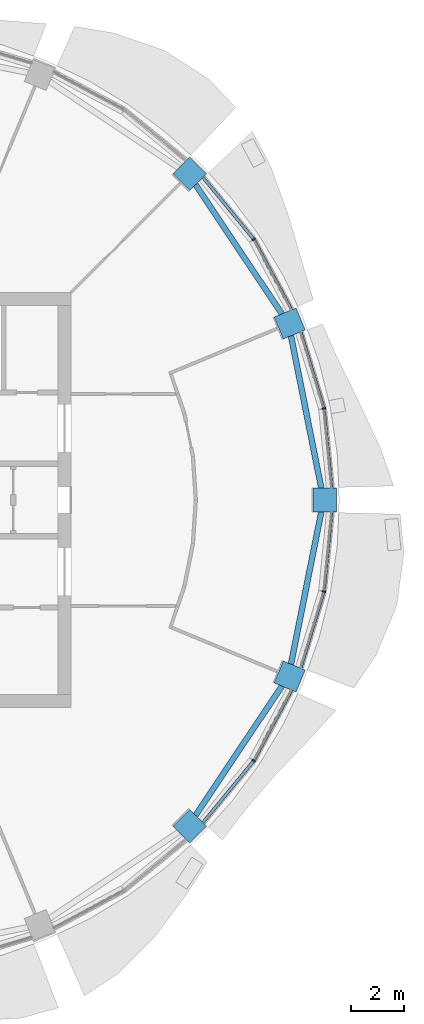
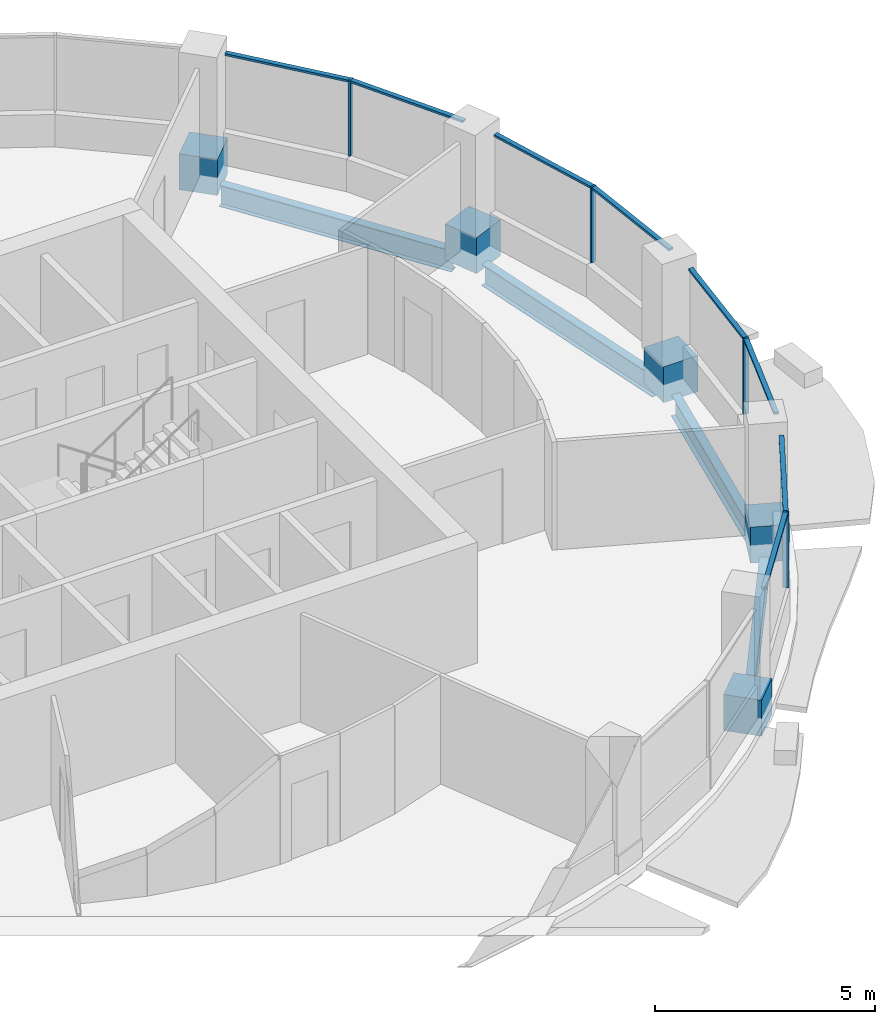
# One storey, part 5 of 15: 17 members, 4 beams, 4 elements without a shape of their own.
"""IFC4 building model written with IfcOpenShell, lengths in metres."""

import ifcopenshell
import ifcopenshell.guid

model = None  # the IFC model being written
_history = None  # IfcOwnerHistory: only IFC2X3 demands one
_inside = {}  # id of a spatial element -> (the spatial element, [elements in it])
_under = {}  # id of a project, library or spatial element -> (it, [spatial elements below it])
_declared = {}  # id of a project -> (the project, [libraries it declares])
_typed = {}  # id of a type object -> (the type object, [elements of that type])
_made_of = {}  # id of a material, layer set ... -> (it, [elements and type objects made of it])


def new_model(schema):
    """Start an empty IFC model of exactly this schema.

    Asked for "IFC4X3", IfcOpenShell would pick the latest addendum, in which some entities
    have other attributes; the version numbers below select the first issue.
    IFC2X3 requires an IfcOwnerHistory on every rooted entity: one is made here for all.
    """
    global model, _history
    if schema == "IFC4X3":
        model = ifcopenshell.file(schema_version=(4, 3, 0, 0))
    else:
        model = ifcopenshell.file(schema=schema)
    _inside.clear()
    _under.clear()
    _declared.clear()
    _typed.clear()
    _made_of.clear()
    _history = None
    if model.schema == "IFC2X3":
        org = make("IfcOrganization", Name="unknown")
        user = make(
            "IfcPersonAndOrganization",
            ThePerson=make("IfcPerson", FamilyName="unknown"),
            TheOrganization=org,
        )
        app = make(
            "IfcApplication",
            ApplicationDeveloper=org,
            Version="unknown",
            ApplicationFullName="unknown",
            ApplicationIdentifier="unknown",
        )
        _history = make(
            "IfcOwnerHistory",
            OwningUser=user,
            OwningApplication=app,
            ChangeAction="ADDED",
            CreationDate=0,
        )
    return model


def make(cls, **values):
    """One entity of the class cls with the attributes given. An attribute that is None is left unset."""
    return model.create_entity(
        cls, **{name: value for name, value in values.items() if value is not None}
    )


def rooted(cls, **values):
    """An entity with a GlobalId (a new one), such as an element, a storey or a relation."""
    return make(cls, GlobalId=ifcopenshell.guid.new(), OwnerHistory=_history, **values)


def si_unit(unit_type, name, prefix=None):
    """IfcSIUnit, for example si_unit("LENGTHUNIT", "METRE", prefix="MILLI")."""
    return make("IfcSIUnit", UnitType=unit_type, Prefix=prefix, Name=name)


def assignment(units):
    """IfcUnitAssignment: the units of a project."""
    return None if units is None else make("IfcUnitAssignment", Units=units)


def point(xyz):
    """IfcCartesianPoint."""
    return None if xyz is None else make("IfcCartesianPoint", Coordinates=xyz)


def direction(xyz):
    """IfcDirection."""
    return None if xyz is None else make("IfcDirection", DirectionRatios=xyz)


def frame(location, z_axis=None, x_axis=None):
    """IfcAxis2Placement3D, a coordinate frame: its origin and axes. An axis left out is left unset."""
    return make(
        "IfcAxis2Placement3D",
        Location=point(location),
        Axis=direction(z_axis),
        RefDirection=direction(x_axis),
    )


def frame_2d(location, x_axis=None):
    """IfcAxis2Placement2D, a coordinate frame in the plane: its origin and x axis."""
    return make(
        "IfcAxis2Placement2D", Location=point(location), RefDirection=direction(x_axis)
    )


def origin():
    """The frame at (0, 0, 0) with its axes left unset."""
    return frame((0.0, 0.0, 0.0))


def origin_2d():
    """The frame at (0, 0) in the plane with its x axis left unset."""
    return frame_2d((0.0, 0.0))


def place(relative_to, where):
    """IfcLocalPlacement: puts the frame where relative to a parent placement (None: the world)."""
    return make(
        "IfcLocalPlacement", PlacementRelTo=relative_to, RelativePlacement=where
    )


def context(
    kind, dimensions, precision=None, world=None, true_north=None, identifier=None
):
    """IfcGeometricRepresentationContext, for example the 3D "Model" context."""
    return make(
        "IfcGeometricRepresentationContext",
        ContextIdentifier=identifier,
        ContextType=kind,
        CoordinateSpaceDimension=dimensions,
        Precision=precision,
        WorldCoordinateSystem=world,
        TrueNorth=true_north,
    )


def subcontext(parent, identifier, kind, view, scale=None):
    """IfcGeometricRepresentationSubContext, for example "Body" below "Model"."""
    return make(
        "IfcGeometricRepresentationSubContext",
        ContextIdentifier=identifier,
        ContextType=kind,
        ParentContext=parent,
        TargetScale=scale,
        TargetView=view,
    )


def project(units=None, contexts=None):
    """IfcProject with its units and contexts."""
    return rooted(
        "IfcProject",
        Name="project",
        RepresentationContexts=contexts,
        UnitsInContext=assignment(units),
    )


def spatial(cls, under=None, at=None, **own):
    """A site, building, storey or space (cls), placed at a placement, below another one or the project."""
    s = rooted(cls, ObjectPlacement=at, **own)
    if under is not None:
        _under.setdefault(under.id(), (under, []))[1].append(s)
    return s


def profile(cls, at=None, kind="AREA", **sizes):
    """A parametric profile (cls). Its sizes go by their IFC names, for example OverallWidth=200.0."""
    return make(cls, ProfileType=kind, Position=at, **sizes)


def rectangle(**sizes):
    """IfcRectangleProfileDef."""
    return profile("IfcRectangleProfileDef", **sizes)


def i_section(**sizes):
    """IfcIShapeProfileDef."""
    return profile("IfcIShapeProfileDef", **sizes)


def extrude(swept, where, along, depth):
    """IfcExtrudedAreaSolid: the profile swept, set in the frame where, extruded along a direction by depth."""
    return make(
        "IfcExtrudedAreaSolid",
        SweptArea=swept,
        Position=where,
        ExtrudedDirection=direction(along),
        Depth=depth,
    )


def shape(context_of_items, identifier, shape_type, items):
    """IfcShapeRepresentation: the items that make up one representation, for example the "Body"."""
    return make(
        "IfcShapeRepresentation",
        ContextOfItems=context_of_items,
        RepresentationIdentifier=identifier,
        RepresentationType=shape_type,
        Items=items,
    )


def material(Name=None, Category=None):
    """IfcMaterial."""
    return make("IfcMaterial", Name=Name, Category=Category)


def material_profile(
    of_material, cross_section, Name=None, Category=None, Priority=None
):
    """IfcMaterialProfile: a cross section and its material."""
    return make(
        "IfcMaterialProfile",
        Name=Name,
        Material=of_material,
        Profile=cross_section,
        Priority=Priority,
        Category=Category,
    )


def profile_set(profiles, Name=None, composite=None):
    """IfcMaterialProfileSet."""
    return make(
        "IfcMaterialProfileSet",
        Name=Name,
        MaterialProfiles=profiles,
        CompositeProfile=composite,
    )


def made_of(thing, what):
    """Note that an element or type object is made of a material, layer set ...; save() writes the relation."""
    if what is not None:
        _made_of.setdefault(what.id(), (what, []))[1].append(thing)
    return thing


def type_object(cls, material=None, **own):
    """A type object (cls), such as IfcWallType, which elements share."""
    return made_of(rooted(cls, **own), material)


def element(
    cls,
    number,
    at=None,
    inside=None,
    cuts=None,
    type_object=None,
    material=None,
    context=None,
    identifier="Body",
    shape_type=None,
    held_by="IfcProductDefinitionShape",
    body=None,
    shapes=None,
    **own,
):
    """One element of the class cls, such as IfcWall. Its Tag is "e" and its number.

    at: its placement. inside: the storey or other place that contains it. cuts: it is an
    opening in that element (IfcRelVoidsElement). A single representation is given by context,
    identifier, shape_type and body (its items); several are given by shapes. held_by: the class
    of the entity that holds the representations. save() writes the other relations.
    """
    e = rooted(cls, Tag="e%d" % number, ObjectPlacement=at, **own)
    if body is not None:
        shapes = [shape(context, identifier, shape_type, body)]
    if shapes is not None:
        e.Representation = make(held_by, Representations=shapes)
    if inside is not None:
        _inside.setdefault(inside.id(), (inside, []))[1].append(e)
    if cuts is not None:
        rooted(
            "IfcRelVoidsElement", RelatingBuildingElement=cuts, RelatedOpeningElement=e
        )
    if type_object is not None:
        _typed.setdefault(type_object.id(), (type_object, []))[1].append(e)
    return made_of(e, material)


def aggregate(whole, parts):
    """IfcRelAggregates: a whole, such as a stair, and the parts it consists of."""
    return rooted("IfcRelAggregates", RelatingObject=whole, RelatedObjects=parts)


def save(model, path):
    """Write the relations noted so far, then the file.

    IfcRelAggregates (storeys below a building ...), IfcRelContainedInSpatialStructure (elements
    in a storey), IfcRelDefinesByType, IfcRelAssociatesMaterial and IfcRelDeclares: one each for
    every whole, place, type object, material and project.
    """
    for whole, parts in _under.values():
        aggregate(whole, parts)
    for where, things in _inside.values():
        rooted(
            "IfcRelContainedInSpatialStructure",
            RelatedElements=things,
            RelatingStructure=where,
        )
    for kind, things in _typed.values():
        rooted("IfcRelDefinesByType", RelatedObjects=things, RelatingType=kind)
    for what, things in _made_of.values():
        rooted("IfcRelAssociatesMaterial", RelatedObjects=things, RelatingMaterial=what)
    for by, libraries in _declared.values():
        rooted("IfcRelDeclares", RelatingContext=by, RelatedDefinitions=libraries)
    model.write(path)


model = new_model("IFC4")

# Units and contexts
model_context = context("Model", 3, precision=1e-05, world=origin(), true_north=direction((0.0, 1.0)))
body_context = subcontext(model_context, "Body", "Model", "MODEL_VIEW")
ifc_project = project(units=[si_unit("LENGTHUNIT", "METRE"), si_unit("AREAUNIT", "SQUARE_METRE"), si_unit("VOLUMEUNIT", "CUBIC_METRE"), si_unit("PLANEANGLEUNIT", "RADIAN"), si_unit("MASSUNIT", "GRAM", prefix="KILO")], contexts=[model_context])

# Site, building, storey
site_placement = place(None, origin())
site = spatial("IfcSite", under=ifc_project, at=site_placement, CompositionType="ELEMENT")
building_placement = place(site_placement, origin())
building = spatial("IfcBuilding", under=site, at=building_placement, Name="Polderwave Tower", CompositionType="ELEMENT")
storey_placement = place(building_placement, frame((0.0, 0.0, 187.64990234375)))
storey = spatial("IfcBuildingStorey", under=building, at=storey_placement, Name="L50", CompositionType="ELEMENT", Elevation=187.64990234375)

# Curtain wall, member
ifc_material_1 = material(Name="Aluminium 6063-T6 and glass", Category="aluminium")
curtain_wall_type = type_object("IfcCurtainWallType", Name="Office ribbon glazing wall", PredefinedType="NOTDEFINED", material=ifc_material_1)
curtain_wall_1_placement = place(storey_placement, origin())
curtain_wall_1 = element("IfcCurtainWall", 1, at=curtain_wall_1_placement, inside=storey, type_object=curtain_wall_type, Name="CW3 L50 00", PredefinedType="NOTDEFINED")
ifc_material_2 = material(Name="Aluminium 6063-T6", Category="aluminium")
ifc_material_profile_1 = material_profile(ifc_material_2, rectangle(XDim=0.139892578125, YDim=0.054931640625, at=origin_2d()), Name="AL 55x140")
ifc_profile_set_1 = profile_set([ifc_material_profile_1], Name="Aluminium 6063-T6")
member_type_1 = type_object("IfcMemberType", Name="Office ribbon glazing mullion 55x140", PredefinedType="MULLION", material=ifc_profile_set_1)
member_1_placement = place(storey_placement, frame((17.4580078125, 3.472900390625, 0.900146484375), z_axis=(0.0, 0.0, 1.0), x_axis=(-0.980762460409, -0.195205010829, 0.0)))
member_1 = element("IfcMember", 2, at=member_1_placement, type_object=member_type_1, Name="CW3 mullion 1", PredefinedType="MULLION", context=body_context, shape_type="SweptSolid", body=[
    extrude(rectangle(XDim=0.139892578125, YDim=0.054931640625, at=origin_2d()), origin(), (0.0, 0.0, 1.0), 2.099853515625),
])

curtain_wall_2_placement = place(storey_placement, origin())
curtain_wall_2 = element("IfcCurtainWall", 3, at=curtain_wall_2_placement, inside=storey, type_object=curtain_wall_type, Name="CW3 L50 01", PredefinedType="NOTDEFINED")
member_2_placement = place(storey_placement, frame((14.800048828125, 9.888916015625, 0.900146484375), z_axis=(0.0, 0.0, 1.0), x_axis=(-0.831419186923, -0.55564569252, 0.0)))
member_2 = element("IfcMember", 4, at=member_2_placement, type_object=member_type_1, Name="CW3 mullion 1", PredefinedType="MULLION", context=body_context, shape_type="SweptSolid", body=[
    extrude(rectangle(XDim=0.139892578125, YDim=0.054931640625, at=origin_2d()), origin(), (0.0, 0.0, 1.0), 2.099853515625),
])

curtain_wall_3_placement = place(storey_placement, origin())
curtain_wall_3 = element("IfcCurtainWall", 5, at=curtain_wall_3_placement, inside=storey, type_object=curtain_wall_type, Name="CW3 L50 14", PredefinedType="NOTDEFINED")
member_3_placement = place(storey_placement, frame((14.800048828125, -9.888916015625, 0.900146484375), z_axis=(0.0, 0.0, 1.0), x_axis=(-0.831419186923, 0.55564569252, 0.0)))
member_3 = element("IfcMember", 6, at=member_3_placement, type_object=member_type_1, Name="CW3 mullion 1", PredefinedType="MULLION", context=body_context, shape_type="SweptSolid", body=[
    extrude(rectangle(XDim=0.139892578125, YDim=0.054931640625, at=origin_2d()), origin(), (0.0, 0.0, 1.0), 2.099853515625),
])

curtain_wall_4_placement = place(storey_placement, origin())
curtain_wall_4 = element("IfcCurtainWall", 7, at=curtain_wall_4_placement, inside=storey, type_object=curtain_wall_type, Name="CW3 L50 15", PredefinedType="NOTDEFINED")
member_4_placement = place(storey_placement, frame((17.4580078125, -3.472900390625, 0.900146484375), z_axis=(0.0, 0.0, 1.0), x_axis=(-0.980762460409, 0.195205010829, 0.0)))
member_4 = element("IfcMember", 8, at=member_4_placement, type_object=member_type_1, Name="CW3 mullion 1", PredefinedType="MULLION", context=body_context, shape_type="SweptSolid", body=[
    extrude(rectangle(XDim=0.139892578125, YDim=0.054931640625, at=origin_2d()), origin(), (0.0, 0.0, 1.0), 2.099853515625),
])

# Member
ifc_material_profile_2 = material_profile(ifc_material_2, rectangle(XDim=0.1201171875, YDim=0.06005859375, at=origin_2d()), Name="AL 60x120")
ifc_profile_set_2 = profile_set([ifc_material_profile_2], Name="Aluminium 6063-T6")
member_type_2 = type_object("IfcMemberType", Name="Office ribbon glazing transom 60x120", PredefinedType="USERDEFINED", material=ifc_profile_set_2)
member_5_placement = place(storey_placement, frame((17.756103515625, 0.449951171875, 2.97021484375), z_axis=(-0.098138471931, 0.995172769084, 0.0), x_axis=(-0.995172769084, -0.098138471931, 0.0)))
member_5 = element("IfcMember", 9, at=member_5_placement, type_object=member_type_2, Name="CW3 transom 1", ObjectType="TRANSOM", PredefinedType="USERDEFINED", context=body_context, shape_type="SweptSolid", body=[
    extrude(rectangle(XDim=0.1201171875, YDim=0.06005859375, at=origin_2d()), origin(), (0.0, 0.0, 1.0), 3.01025390625),
])

member_6_placement = place(storey_placement, frame((17.449951171875, 3.499267578125, 2.97021484375), z_axis=(-0.290435177237, 0.956894669137, 0.0), x_axis=(-0.956894669137, -0.290435177237, 0.0)))
member_6 = element("IfcMember", 10, at=member_6_placement, type_object=member_type_2, Name="CW3 transom 2", ObjectType="TRANSOM", PredefinedType="USERDEFINED", context=body_context, shape_type="SweptSolid", body=[
    extrude(rectangle(XDim=0.1201171875, YDim=0.06005859375, at=origin_2d()), origin(), (0.0, 0.0, 1.0), 3.00927734375),
])

aggregate(curtain_wall_1, [member_1, member_5, member_6])

member_7_placement = place(storey_placement, frame((16.23193359375, 7.2109375, 2.97021484375), z_axis=(-0.471514347904, 0.881858389834, 0.0), x_axis=(-0.881858389834, -0.471514347904, 0.0)))
member_7 = element("IfcMember", 11, at=member_7_placement, type_object=member_type_2, Name="CW3 transom 1", ObjectType="TRANSOM", PredefinedType="USERDEFINED", context=body_context, shape_type="SweptSolid", body=[
    extrude(rectangle(XDim=0.1201171875, YDim=0.06005859375, at=origin_2d()), origin(), (0.0, 0.0, 1.0), 3.00927734375),
])

member_8_placement = place(storey_placement, frame((14.78271484375, 9.910400390625, 2.97021484375), z_axis=(-0.634438411451, 0.772973416151, 0.0), x_axis=(-0.772973416151, -0.634438411451, 0.0)))
member_8 = element("IfcMember", 12, at=member_8_placement, type_object=member_type_2, Name="CW3 transom 2", ObjectType="TRANSOM", PredefinedType="USERDEFINED", context=body_context, shape_type="SweptSolid", body=[
    extrude(rectangle(XDim=0.1201171875, YDim=0.06005859375, at=origin_2d()), origin(), (0.0, 0.0, 1.0), 3.010009765625),
])

aggregate(curtain_wall_2, [member_2, member_7, member_8])

member_9_placement = place(storey_placement, frame((12.873046875, -12.237060546875, 2.97021484375), z_axis=(0.634438411451, 0.772973416151, 0.0), x_axis=(-0.772973416151, 0.634438411451, 0.0)))
member_9 = element("IfcMember", 13, at=member_9_placement, type_object=member_type_2, Name="CW3 transom 1", ObjectType="TRANSOM", PredefinedType="USERDEFINED", context=body_context, shape_type="SweptSolid", body=[
    extrude(rectangle(XDim=0.1201171875, YDim=0.06005859375, at=origin_2d()), origin(), (0.0, 0.0, 1.0), 3.010009765625),
])

member_10_placement = place(storey_placement, frame((14.81298828125, -9.86474609375, 2.97021484375), z_axis=(0.471514347904, 0.881858389834, 0.0), x_axis=(-0.881858389834, 0.471514347904, 0.0)))
member_10 = element("IfcMember", 14, at=member_10_placement, type_object=member_type_2, Name="CW3 transom 2", ObjectType="TRANSOM", PredefinedType="USERDEFINED", context=body_context, shape_type="SweptSolid", body=[
    extrude(rectangle(XDim=0.1201171875, YDim=0.06005859375, at=origin_2d()), origin(), (0.0, 0.0, 1.0), 3.00927734375),
])

aggregate(curtain_wall_3, [member_3, member_9, member_10])

member_11_placement = place(storey_placement, frame((16.575927734375, -6.37890625, 2.97021484375), z_axis=(0.290435177237, 0.956894669137, 0.0), x_axis=(-0.956894669137, 0.290435177237, 0.0)))
member_11 = element("IfcMember", 15, at=member_11_placement, type_object=member_type_2, Name="CW3 transom 1", ObjectType="TRANSOM", PredefinedType="USERDEFINED", context=body_context, shape_type="SweptSolid", body=[
    extrude(rectangle(XDim=0.1201171875, YDim=0.06005859375, at=origin_2d()), origin(), (0.0, 0.0, 1.0), 3.00927734375),
])

member_12_placement = place(storey_placement, frame((17.460693359375, -3.445556640625, 2.97021484375), z_axis=(0.098138471931, 0.995172769084, 0.0), x_axis=(-0.995172769084, 0.098138471931, 0.0)))
member_12 = element("IfcMember", 16, at=member_12_placement, type_object=member_type_2, Name="CW3 transom 2", ObjectType="TRANSOM", PredefinedType="USERDEFINED", context=body_context, shape_type="SweptSolid", body=[
    extrude(rectangle(XDim=0.1201171875, YDim=0.06005859375, at=origin_2d()), origin(), (0.0, 0.0, 1.0), 3.01025390625),
])

aggregate(curtain_wall_4, [member_4, member_11, member_12])

# Members
ifc_material_3 = material(Name="Concrete C60/75", Category="concrete")
ifc_material_profile_3 = material_profile(ifc_material_3, rectangle(XDim=0.89990234375, YDim=0.89990234375, at=origin_2d()), Name="RC 900x900")
ifc_profile_set_3 = profile_set([ifc_material_profile_3], Name="Concrete C60/75")
member_type_3 = type_object("IfcMemberType", Name="RC NODE 900x900 C60/75", PredefinedType="POST", material=ifc_profile_set_3)
for number, where, z_axis, x_axis, name in (
    (17, (17.492431640625, 0.0, -0.5), (0.0, 0.0, 1.0), (1.0, 0.0, 0.0), "Ring column node 01"),
    (18, (16.160888671875, 6.694091796875, -0.5), (0.0, 0.0, 1.0), (0.923879532511, 0.382683432365, 0.0), "Ring column node 02"),
    (19, (12.369140625, 12.369140625, -0.5), (0.0, 0.0, 1.0), (0.707106781187, 0.707106781187, 0.0), "Ring column node 03"),
    (20, (12.369140625, -12.369140625, -0.5), (0.0, 0.0, 1.0), (0.707106781187, -0.707106781187, 0.0), "Ring column node 15"),
    (21, (16.160888671875, -6.694091796875, -0.5), (0.0, 0.0, 1.0), (0.923879532511, -0.382683432365, 0.0), "Ring column node 16"),
):
    element("IfcMember", number, at=place(storey_placement, frame(where, z_axis=z_axis, x_axis=x_axis)), inside=storey, type_object=member_type_3, Name=name, PredefinedType="POST", context=body_context, shape_type="SweptSolid", body=[
        extrude(rectangle(XDim=0.89990234375, YDim=0.89990234375, at=origin_2d()), origin(), (0.0, 0.0, 1.0), 1.0),
    ])

# Beams
ifc_material_4 = material(Name="Steel S355", Category="steel")
ifc_material_profile_4 = material_profile(ifc_material_4, i_section(OverallWidth=0.219970703125, OverallDepth=0.60009765625, WebThickness=0.011962890625, FlangeThickness=0.01904296875, at=origin_2d()), Name="IPE 600")
ifc_profile_set_4 = profile_set([ifc_material_profile_4], Name="Steel S355")
beam_type = type_object("IfcBeamType", Name="RING BEAM IPE 600", PredefinedType="BEAM", material=ifc_profile_set_4)
beam_1_placement = place(storey_placement, frame((17.360595703125, 0.449951171875, -0.64990234375), z_axis=(-0.195111845788, 0.980780998813, 0.0), x_axis=(-0.980780998813, -0.195111845788, 0.0)))
element("IfcBeam", 22, at=beam_1_placement, inside=storey, type_object=beam_type, Name="ST-RB-L50-00", PredefinedType="BEAM", context=body_context, shape_type="SweptSolid", body=[
    extrude(i_section(OverallWidth=0.219970703125, OverallDepth=0.60009765625, WebThickness=0.011962890625, FlangeThickness=0.01904296875, at=origin_2d()), origin(), (0.0, 0.0, 1.0), 5.89111328125),
])
for number, where, z_axis, x_axis, name in (
    (23, (15.86669921875, 7.059326171875, -0.64990234375), (-0.555551093196, 0.831482400805, 0.0), (-0.831482400805, -0.555551093196, 0.0), "ST-RB-L50-01"),
    (24, (12.593994140625, -11.95751953125, -0.64990234375), (0.555551093196, 0.831482400805, 0.0), (-0.831482400805, 0.555551093196, 0.0), "ST-RB-L50-14"),
):
    element("IfcBeam", number, at=place(storey_placement, frame(where, z_axis=z_axis, x_axis=x_axis)), inside=storey, type_object=beam_type, Name=name, PredefinedType="BEAM", context=body_context, shape_type="SweptSolid", body=[
        extrude(i_section(OverallWidth=0.219970703125, OverallDepth=0.60009765625, WebThickness=0.011962890625, FlangeThickness=0.01904296875, at=origin_2d()), origin(), (0.0, 0.0, 1.0), 5.890869140625),
    ])
beam_2_placement = place(storey_placement, frame((16.211181640625, -6.227783203125, -0.64990234375), z_axis=(0.195111845788, 0.980780998813, 0.0), x_axis=(-0.980780998813, 0.195111845788, 0.0)))
element("IfcBeam", 25, at=beam_2_placement, inside=storey, type_object=beam_type, Name="ST-RB-L50-15", PredefinedType="BEAM", context=body_context, shape_type="SweptSolid", body=[
    extrude(i_section(OverallWidth=0.219970703125, OverallDepth=0.60009765625, WebThickness=0.011962890625, FlangeThickness=0.01904296875, at=origin_2d()), origin(), (0.0, 0.0, 1.0), 5.89111328125),
])

save(model, "model.ifc")
